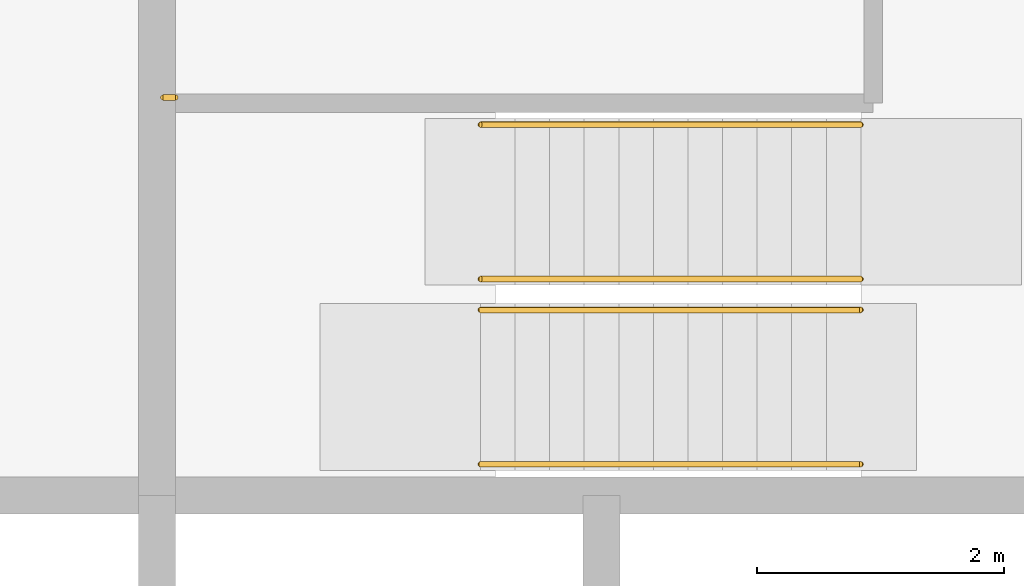
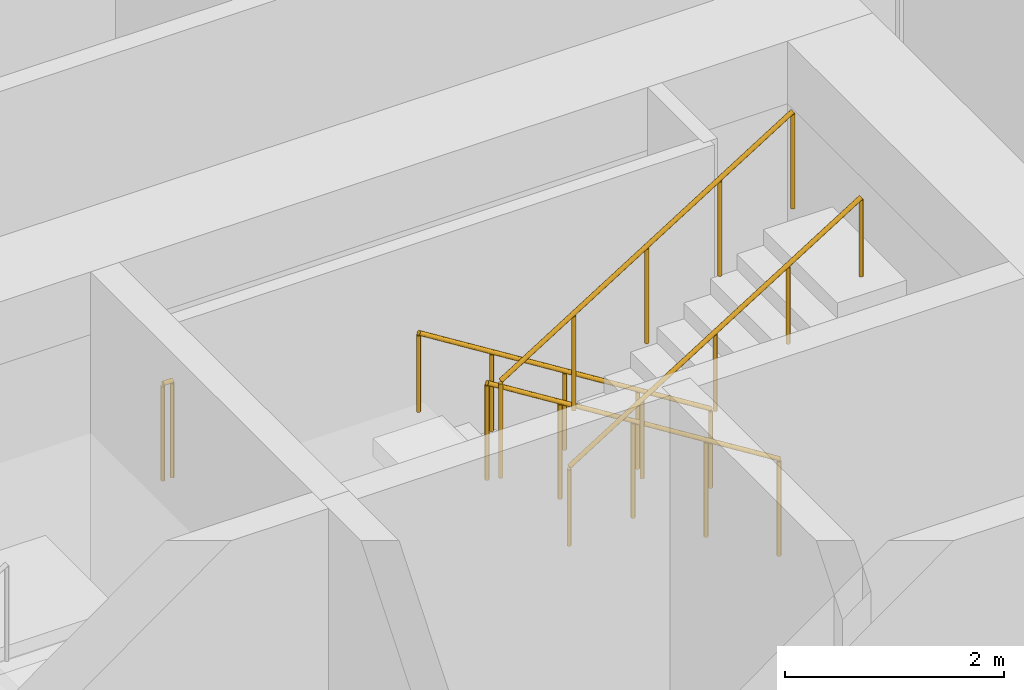
# One storey, part 20 of 24: 5 railings.
"""IFC4 building model written with IfcOpenShell, lengths in metres."""

from ifc_helpers import new_model, si_unit, direction, frame, origin, origin_2d, place, context, subcontext, project, spatial, circle, extrude, material, type_object, element, save


model = new_model("IFC4")

# Units and contexts
model_context = context("Model", 3, precision=1e-05, world=origin(), true_north=direction((0.0, 1.0)))
body_context = subcontext(model_context, "Body", "Model", "MODEL_VIEW")
ifc_project = project(units=[si_unit("LENGTHUNIT", "METRE"), si_unit("AREAUNIT", "SQUARE_METRE"), si_unit("VOLUMEUNIT", "CUBIC_METRE"), si_unit("PLANEANGLEUNIT", "RADIAN"), si_unit("MASSUNIT", "GRAM", prefix="KILO")], contexts=[model_context])

# Site, building, storey
site_placement = place(None, origin())
site = spatial("IfcSite", under=ifc_project, at=site_placement, CompositionType="ELEMENT")
building_placement = place(site_placement, origin())
building = spatial("IfcBuilding", under=site, at=building_placement, Name="Windrow Commons", CompositionType="ELEMENT")
storey_placement = place(building_placement, frame((0.0, 0.0, 77.0)))
storey = spatial("IfcBuildingStorey", under=building, at=storey_placement, Name="L20", CompositionType="ELEMENT", Elevation=77.0)

# Railings
ifc_material_1 = material(Name="Steel S355", Category="steel")
railing_type_1 = type_object("IfcRailingType", Name="Core stair guard 1100", PredefinedType="GUARDRAIL", material=ifc_material_1)
railing_1_placement = place(storey_placement, frame((70.5, 62.355, 0.175)))
element("IfcRailing", 1, at=railing_1_placement, inside=storey, type_object=railing_type_1, Name="L20 ST-A2 stair guard 1", PredefinedType="GUARDRAIL", context=body_context, shape_type="SweptSolid", body=[
    extrude(circle(Radius=0.024, at=origin_2d()), frame((0.0, 0.0, 1.076), z_axis=(-0.847998304, 0.0, 0.52999894), x_axis=(0.0, -1.0, 0.0)), (0.0, 0.0, 1.0), 3.6321),
    extrude(circle(Radius=0.021, at=origin_2d()), origin(), (0.0, 0.0, 1.0), 1.052),
    extrude(circle(Radius=0.021, at=origin_2d()), frame((-0.77, 0.0, 0.4812)), (0.0, 0.0, 1.0), 1.052),
    extrude(circle(Radius=0.021, at=origin_2d()), frame((-1.54, 0.0, 0.9625)), (0.0, 0.0, 1.0), 1.052),
    extrude(circle(Radius=0.021, at=origin_2d()), frame((-2.31, 0.0, 1.4437)), (0.0, 0.0, 1.0), 1.052),
    extrude(circle(Radius=0.021, at=origin_2d()), frame((-3.08, 0.0, 1.925)), (0.0, 0.0, 1.0), 1.052),
])
railing_2_placement = place(storey_placement, frame((67.42, 62.105, 2.275)))
element("IfcRailing", 2, at=railing_2_placement, inside=storey, type_object=railing_type_1, Name="L20 ST-A2 stair guard 2", PredefinedType="GUARDRAIL", context=body_context, shape_type="SweptSolid", body=[
    extrude(circle(Radius=0.024, at=origin_2d()), frame((0.0, 0.0, 1.076), z_axis=(0.847998304, 0.0, 0.52999894), x_axis=(0.0, 1.0, 0.0)), (0.0, 0.0, 1.0), 3.6321),
    extrude(circle(Radius=0.021, at=origin_2d()), origin(), (0.0, 0.0, 1.0), 1.052),
    extrude(circle(Radius=0.021, at=origin_2d()), frame((0.77, 0.0, 0.4812)), (0.0, 0.0, 1.0), 1.052),
    extrude(circle(Radius=0.021, at=origin_2d()), frame((1.54, 0.0, 0.9625)), (0.0, 0.0, 1.0), 1.052),
    extrude(circle(Radius=0.021, at=origin_2d()), frame((2.31, 0.0, 1.4437)), (0.0, 0.0, 1.0), 1.052),
    extrude(circle(Radius=0.021, at=origin_2d()), frame((3.08, 0.0, 1.925)), (0.0, 0.0, 1.0), 1.052),
])
railing_3_placement = place(storey_placement, frame((64.95, 63.825, 2.1)))
element("IfcRailing", 3, at=railing_3_placement, inside=storey, type_object=railing_type_1, Name="L20 ST-A2 stair guard 3", PredefinedType="GUARDRAIL", context=body_context, shape_type="SweptSolid", body=[
    extrude(circle(Radius=0.024, at=origin_2d()), frame((0.0, 0.0, 1.076), z_axis=(-1.0, 0.0, 0.0), x_axis=(0.0, -1.0, 0.0)), (0.0, 0.0, 1.0), 0.1),
    extrude(circle(Radius=0.021, at=origin_2d()), origin(), (0.0, 0.0, 1.0), 1.052),
    extrude(circle(Radius=0.021, at=origin_2d()), frame((-0.1, 0.0, 0.0)), (0.0, 0.0, 1.0), 1.052),
])
ifc_material_2 = material(Name="Steel S355", Category="steel")
railing_type_2 = type_object("IfcRailingType", Name="Core stair handrail 900", PredefinedType="HANDRAIL", material=ifc_material_2)
railing_4_placement = place(storey_placement, frame((70.5, 63.605, 0.175)))
element("IfcRailing", 4, at=railing_4_placement, inside=storey, type_object=railing_type_2, Name="L20 ST-A2 stair handrail 1", PredefinedType="HANDRAIL", context=body_context, shape_type="SweptSolid", body=[
    extrude(circle(Radius=0.024, at=origin_2d()), frame((0.0, 0.0, 0.876), z_axis=(-0.847998304, 0.0, 0.52999894), x_axis=(0.0, -1.0, 0.0)), (0.0, 0.0, 1.0), 3.6321),
    extrude(circle(Radius=0.021, at=origin_2d()), origin(), (0.0, 0.0, 1.0), 0.852),
    extrude(circle(Radius=0.021, at=origin_2d()), frame((-0.77, 0.0, 0.4812)), (0.0, 0.0, 1.0), 0.852),
    extrude(circle(Radius=0.021, at=origin_2d()), frame((-1.54, 0.0, 0.9625)), (0.0, 0.0, 1.0), 0.852),
    extrude(circle(Radius=0.021, at=origin_2d()), frame((-2.31, 0.0, 1.4437)), (0.0, 0.0, 1.0), 0.852),
    extrude(circle(Radius=0.021, at=origin_2d()), frame((-3.08, 0.0, 1.925)), (0.0, 0.0, 1.0), 0.852),
])
railing_5_placement = place(storey_placement, frame((67.42, 60.855, 2.275)))
element("IfcRailing", 5, at=railing_5_placement, inside=storey, type_object=railing_type_2, Name="L20 ST-A2 stair handrail 2", PredefinedType="HANDRAIL", context=body_context, shape_type="SweptSolid", body=[
    extrude(circle(Radius=0.024, at=origin_2d()), frame((0.0, 0.0, 0.876), z_axis=(0.847998304, 0.0, 0.52999894), x_axis=(0.0, 1.0, 0.0)), (0.0, 0.0, 1.0), 3.6321),
    extrude(circle(Radius=0.021, at=origin_2d()), origin(), (0.0, 0.0, 1.0), 0.852),
    extrude(circle(Radius=0.021, at=origin_2d()), frame((0.77, 0.0, 0.4812)), (0.0, 0.0, 1.0), 0.852),
    extrude(circle(Radius=0.021, at=origin_2d()), frame((1.54, 0.0, 0.9625)), (0.0, 0.0, 1.0), 0.852),
    extrude(circle(Radius=0.021, at=origin_2d()), frame((2.31, 0.0, 1.4437)), (0.0, 0.0, 1.0), 0.852),
    extrude(circle(Radius=0.021, at=origin_2d()), frame((3.08, 0.0, 1.925)), (0.0, 0.0, 1.0), 0.852),
])

save(model, "model.ifc")
